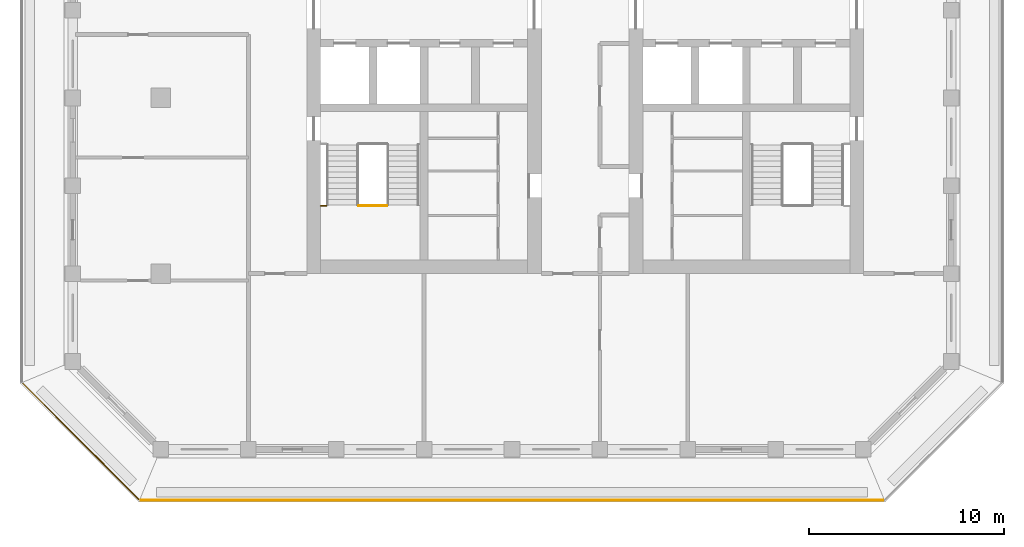
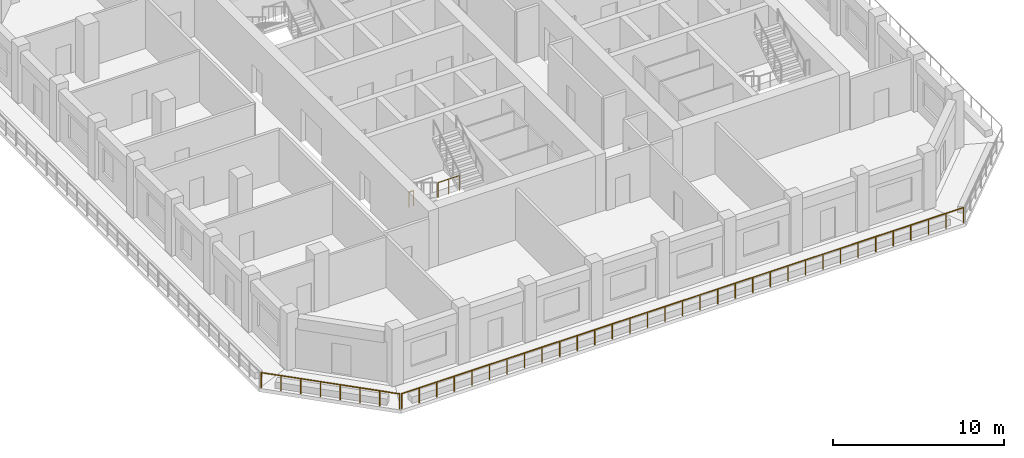
# One storey, part 8 of 14: 4 railings.
"""IFC4 building model written with IfcOpenShell, lengths in metres."""

from ifc_helpers import new_model, si_unit, direction, frame, origin, origin_2d, place, context, subcontext, project, spatial, circle, extrude, material, type_object, element, save


model = new_model("IFC4")

# Units and contexts
model_context = context("Model", 3, precision=1e-05, world=origin(), true_north=direction((0.0, 1.0)))
body_context = subcontext(model_context, "Body", "Model", "MODEL_VIEW")
ifc_project = project(units=[si_unit("LENGTHUNIT", "METRE"), si_unit("AREAUNIT", "SQUARE_METRE"), si_unit("VOLUMEUNIT", "CUBIC_METRE"), si_unit("PLANEANGLEUNIT", "RADIAN"), si_unit("MASSUNIT", "GRAM", prefix="KILO")], contexts=[model_context])

# Site, building, storey
site_placement = place(None, origin())
site = spatial("IfcSite", under=ifc_project, at=site_placement, CompositionType="ELEMENT")
building_placement = place(site_placement, origin())
building = spatial("IfcBuilding", under=site, at=building_placement, Name="Corbel Stack Research Tower", CompositionType="ELEMENT")
storey_placement = place(building_placement, frame((0.0, 0.0, 286.800048828125)))
storey = spatial("IfcBuildingStorey", under=building, at=storey_placement, Name="L65", CompositionType="ELEMENT", Elevation=286.800048828125)

# Railings
ifc_material_1 = material(Name="Steel S355", Category="steel")
railing_type_1 = type_object("IfcRailingType", Name="Stair guard 1100", PredefinedType="GUARDRAIL", material=ifc_material_1)
railing_1_placement = place(storey_placement, frame((-7.85009765625, -5.530029296875, 2.050048828125)))
element("IfcRailing", 1, at=railing_1_placement, inside=storey, type_object=railing_type_1, Name="L65 ST-W1 stair guard 2", PredefinedType="GUARDRAIL", context=body_context, shape_type="SweptSolid", body=[
    extrude(circle(Radius=0.02392578125, at=origin_2d()), frame((0.0, 0.0, 1.076171875), z_axis=(1.0, 0.0, 0.0), x_axis=(0.0, 1.0, 0.0)), (0.0, 0.0, 1.0), 1.4501953125),
    extrude(circle(Radius=0.02099609375, at=origin_2d()), origin(), (0.0, 0.0, 1.0), 1.052001953125),
    extrude(circle(Radius=0.02099609375, at=origin_2d()), frame((0.72509765625, 0.0, 0.0)), (0.0, 0.0, 1.0), 1.052001953125),
    extrude(circle(Radius=0.02099609375, at=origin_2d()), frame((1.4501953125, 0.0, 0.0)), (0.0, 0.0, 1.0), 1.052001953125),
])
railing_2_placement = place(storey_placement, frame((-9.800048828125, -5.530029296875, 2.050048828125)))
element("IfcRailing", 2, at=railing_2_placement, inside=storey, type_object=railing_type_1, Name="L65 ST-W1 stair guard 3", PredefinedType="GUARDRAIL", context=body_context, shape_type="SweptSolid", body=[
    extrude(circle(Radius=0.02392578125, at=origin_2d()), frame((0.0, 0.0, 1.076171875), z_axis=(1.0, 0.0, 0.0), x_axis=(0.0, 1.0, 0.0)), (0.0, 0.0, 1.0), 0.300048828125),
    extrude(circle(Radius=0.02099609375, at=origin_2d()), origin(), (0.0, 0.0, 1.0), 1.052001953125),
    extrude(circle(Radius=0.02099609375, at=origin_2d()), frame((0.300048828125, 0.0, 0.0)), (0.0, 0.0, 1.0), 1.052001953125),
])
ifc_material_2 = material(Name="Powder-coated steel guard", Category="steel")
railing_type_2 = type_object("IfcRailingType", Name="Steel and glass guard 1100", PredefinedType="GUARDRAIL", material=ifc_material_2)
railing_3_placement = place(storey_placement, frame((-19.00537109375, -20.60009765625, 0.0)))
element("IfcRailing", 3, at=railing_3_placement, inside=storey, type_object=railing_type_2, Name="Loggia guard L65 S", PredefinedType="GUARDRAIL", context=body_context, shape_type="SweptSolid", body=[
    extrude(circle(Radius=0.02392578125, at=origin_2d()), frame((0.0, 0.0, 1.076171875), z_axis=(1.0, 0.0, 0.0), x_axis=(0.0, 1.0, 0.0)), (0.0, 0.0, 1.0), 38.0107421875),
    extrude(circle(Radius=0.02099609375, at=origin_2d()), origin(), (0.0, 0.0, 1.0), 1.052001953125),
    extrude(circle(Radius=0.02099609375, at=origin_2d()), frame((1.187744140625, 0.0, 0.0)), (0.0, 0.0, 1.0), 1.052001953125),
    extrude(circle(Radius=0.02099609375, at=origin_2d()), frame((2.375732421875, 0.0, 0.0)), (0.0, 0.0, 1.0), 1.052001953125),
    extrude(circle(Radius=0.02099609375, at=origin_2d()), frame((3.5634765625, 0.0, 0.0)), (0.0, 0.0, 1.0), 1.052001953125),
    extrude(circle(Radius=0.02099609375, at=origin_2d()), frame((4.75146484375, 0.0, 0.0)), (0.0, 0.0, 1.0), 1.052001953125),
    extrude(circle(Radius=0.02099609375, at=origin_2d()), frame((5.939208984375, 0.0, 0.0)), (0.0, 0.0, 1.0), 1.052001953125),
    extrude(circle(Radius=0.02099609375, at=origin_2d()), frame((7.126953125, 0.0, 0.0)), (0.0, 0.0, 1.0), 1.052001953125),
    extrude(circle(Radius=0.02099609375, at=origin_2d()), frame((8.31494140625, 0.0, 0.0)), (0.0, 0.0, 1.0), 1.052001953125),
    extrude(circle(Radius=0.02099609375, at=origin_2d()), frame((9.502685546875, 0.0, 0.0)), (0.0, 0.0, 1.0), 1.052001953125),
    extrude(circle(Radius=0.02099609375, at=origin_2d()), frame((10.6904296875, 0.0, 0.0)), (0.0, 0.0, 1.0), 1.052001953125),
    extrude(circle(Radius=0.02099609375, at=origin_2d()), frame((11.87841796875, 0.0, 0.0)), (0.0, 0.0, 1.0), 1.052001953125),
    extrude(circle(Radius=0.02099609375, at=origin_2d()), frame((13.066162109375, 0.0, 0.0)), (0.0, 0.0, 1.0), 1.052001953125),
    extrude(circle(Radius=0.02099609375, at=origin_2d()), frame((14.25390625, 0.0, 0.0)), (0.0, 0.0, 1.0), 1.052001953125),
    extrude(circle(Radius=0.02099609375, at=origin_2d()), frame((15.44189453125, 0.0, 0.0)), (0.0, 0.0, 1.0), 1.052001953125),
    extrude(circle(Radius=0.02099609375, at=origin_2d()), frame((16.629638671875, 0.0, 0.0)), (0.0, 0.0, 1.0), 1.052001953125),
    extrude(circle(Radius=0.02099609375, at=origin_2d()), frame((17.817626953125, 0.0, 0.0)), (0.0, 0.0, 1.0), 1.052001953125),
    extrude(circle(Radius=0.02099609375, at=origin_2d()), frame((19.00537109375, 0.0, 0.0)), (0.0, 0.0, 1.0), 1.052001953125),
    extrude(circle(Radius=0.02099609375, at=origin_2d()), frame((20.193115234375, 0.0, 0.0)), (0.0, 0.0, 1.0), 1.052001953125),
    extrude(circle(Radius=0.02099609375, at=origin_2d()), frame((21.381103515625, 0.0, 0.0)), (0.0, 0.0, 1.0), 1.052001953125),
    extrude(circle(Radius=0.02099609375, at=origin_2d()), frame((22.56884765625, 0.0, 0.0)), (0.0, 0.0, 1.0), 1.052001953125),
    extrude(circle(Radius=0.02099609375, at=origin_2d()), frame((23.7568359375, 0.0, 0.0)), (0.0, 0.0, 1.0), 1.052001953125),
    extrude(circle(Radius=0.02099609375, at=origin_2d()), frame((24.944580078125, 0.0, 0.0)), (0.0, 0.0, 1.0), 1.052001953125),
    extrude(circle(Radius=0.02099609375, at=origin_2d()), frame((26.13232421875, 0.0, 0.0)), (0.0, 0.0, 1.0), 1.052001953125),
    extrude(circle(Radius=0.02099609375, at=origin_2d()), frame((27.3203125, 0.0, 0.0)), (0.0, 0.0, 1.0), 1.052001953125),
    extrude(circle(Radius=0.02099609375, at=origin_2d()), frame((28.508056640625, 0.0, 0.0)), (0.0, 0.0, 1.0), 1.052001953125),
    extrude(circle(Radius=0.02099609375, at=origin_2d()), frame((29.69580078125, 0.0, 0.0)), (0.0, 0.0, 1.0), 1.052001953125),
    extrude(circle(Radius=0.02099609375, at=origin_2d()), frame((30.8837890625, 0.0, 0.0)), (0.0, 0.0, 1.0), 1.052001953125),
    extrude(circle(Radius=0.02099609375, at=origin_2d()), frame((32.071533203125, 0.0, 0.0)), (0.0, 0.0, 1.0), 1.052001953125),
    extrude(circle(Radius=0.02099609375, at=origin_2d()), frame((33.25927734375, 0.0, 0.0)), (0.0, 0.0, 1.0), 1.052001953125),
    extrude(circle(Radius=0.02099609375, at=origin_2d()), frame((34.447265625, 0.0, 0.0)), (0.0, 0.0, 1.0), 1.052001953125),
    extrude(circle(Radius=0.02099609375, at=origin_2d()), frame((35.635009765625, 0.0, 0.0)), (0.0, 0.0, 1.0), 1.052001953125),
    extrude(circle(Radius=0.02099609375, at=origin_2d()), frame((36.822998046875, 0.0, 0.0)), (0.0, 0.0, 1.0), 1.052001953125),
    extrude(circle(Radius=0.02099609375, at=origin_2d()), frame((38.0107421875, 0.0, 0.0)), (0.0, 0.0, 1.0), 1.052001953125),
])
railing_4_placement = place(storey_placement, frame((-25.04931640625, -14.627685546875, 0.0)))
element("IfcRailing", 4, at=railing_4_placement, inside=storey, type_object=railing_type_2, Name="Loggia guard L65 SW", PredefinedType="GUARDRAIL", context=body_context, shape_type="SweptSolid", body=[
    extrude(circle(Radius=0.02392578125, at=origin_2d()), frame((0.0, 0.0, 1.076171875), z_axis=(0.707106781187, -0.707106781187, 0.0), x_axis=(0.707106781187, 0.707106781187, 0.0)), (0.0, 0.0, 1.0), 8.37451171875),
    extrude(circle(Radius=0.02099609375, at=origin_2d()), origin(), (0.0, 0.0, 1.0), 1.052001953125),
    extrude(circle(Radius=0.02099609375, at=origin_2d()), frame((0.845947265625, -0.845947265625, 0.0)), (0.0, 0.0, 1.0), 1.052001953125),
    extrude(circle(Radius=0.02099609375, at=origin_2d()), frame((1.69189453125, -1.69189453125, 0.0)), (0.0, 0.0, 1.0), 1.052001953125),
    extrude(circle(Radius=0.02099609375, at=origin_2d()), frame((2.537841796875, -2.537841796875, 0.0)), (0.0, 0.0, 1.0), 1.052001953125),
    extrude(circle(Radius=0.02099609375, at=origin_2d()), frame((3.3837890625, -3.3837890625, 0.0)), (0.0, 0.0, 1.0), 1.052001953125),
    extrude(circle(Radius=0.02099609375, at=origin_2d()), frame((4.229736328125, -4.229736328125, 0.0)), (0.0, 0.0, 1.0), 1.052001953125),
    extrude(circle(Radius=0.02099609375, at=origin_2d()), frame((5.07568359375, -5.07568359375, 0.0)), (0.0, 0.0, 1.0), 1.052001953125),
    extrude(circle(Radius=0.02099609375, at=origin_2d()), frame((5.921630859375, -5.921630859375, 0.0)), (0.0, 0.0, 1.0), 1.052001953125),
])

save(model, "model.ifc")
